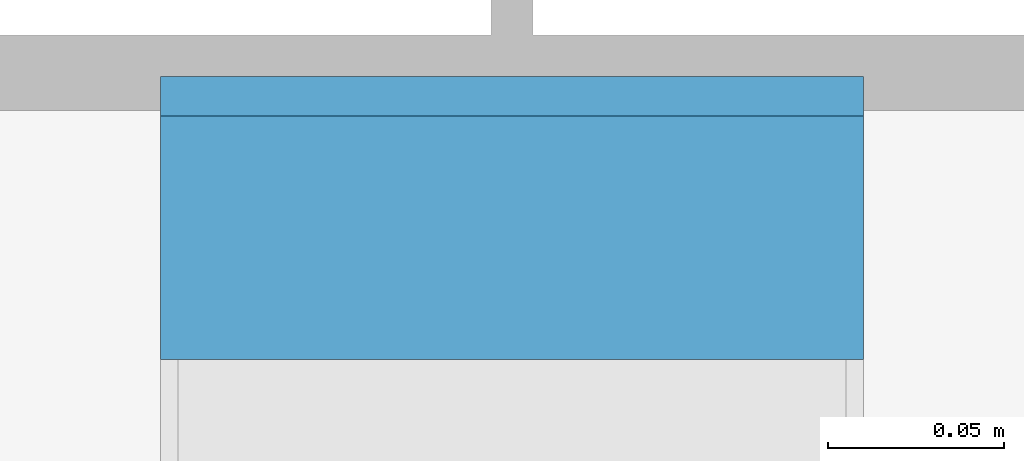
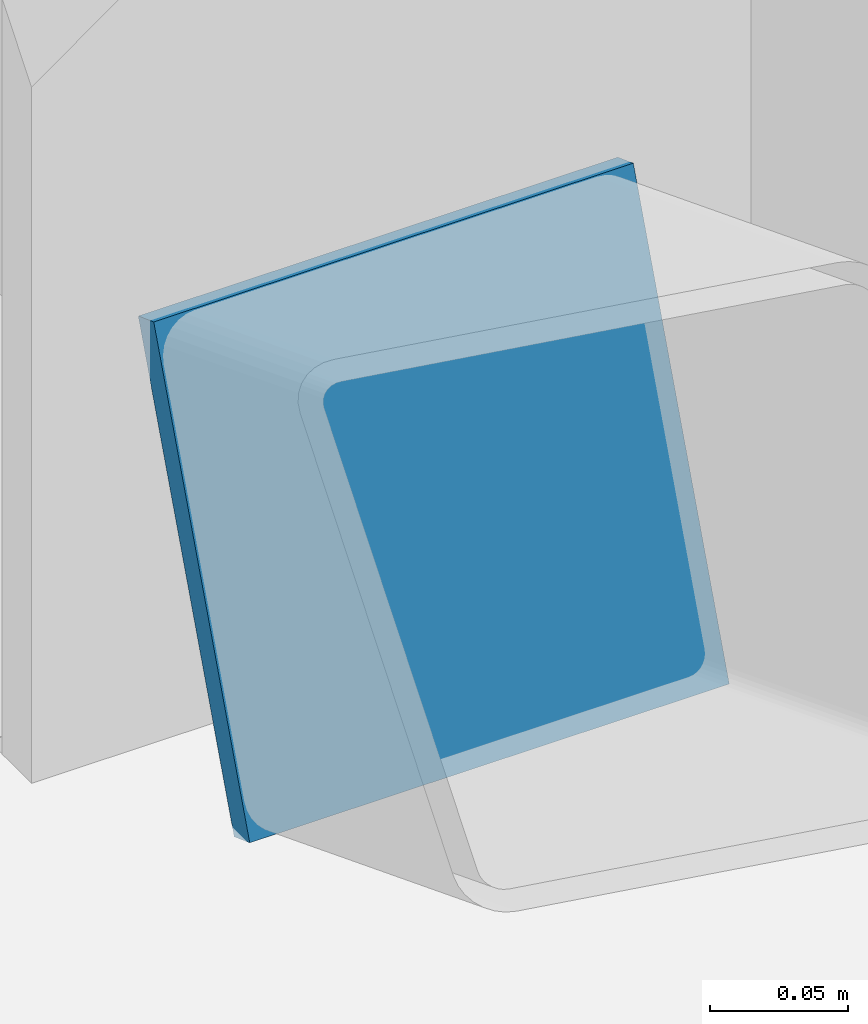
# One storey, part 314 of 321: 1 discrete accessory.
"""IFC4 building model written with IfcOpenShell, lengths in metres."""

from ifc_helpers import new_model, si_unit, direction, frame, origin, origin_2d, place, context, subcontext, project, spatial, rectangle, extrude, material, material_profile, profile_set, type_object, element, save


model = new_model("IFC4")

# Units and contexts
model_context = context("Model", 3, precision=1e-05, world=origin(), true_north=direction((0.0, 1.0)))
body_context = subcontext(model_context, "Body", "Model", "MODEL_VIEW")
ifc_project = project(units=[si_unit("LENGTHUNIT", "METRE"), si_unit("AREAUNIT", "SQUARE_METRE"), si_unit("VOLUMEUNIT", "CUBIC_METRE"), si_unit("PLANEANGLEUNIT", "RADIAN"), si_unit("MASSUNIT", "GRAM", prefix="KILO")], contexts=[model_context])

# Site, building, storey
site_placement = place(None, origin())
site = spatial("IfcSite", under=ifc_project, at=site_placement, CompositionType="ELEMENT")
building_placement = place(site_placement, origin())
building = spatial("IfcBuilding", under=site, at=building_placement, Name="Ravi Spectrum Wholesale Market", CompositionType="ELEMENT")
storey_placement = place(building_placement, frame((0.0, 0.0, 10.800048828125)))
storey = spatial("IfcBuildingStorey", under=building, at=storey_placement, Name="L02", CompositionType="ELEMENT", Elevation=10.800048828125)

# Discrete accessory
ifc_material = material(Name="Steel S355", Category="steel")
ifc_material_profile = material_profile(ifc_material, rectangle(XDim=0.199951171875, YDim=0.199951171875, at=origin_2d()))
ifc_profile_set = profile_set([ifc_material_profile], Name="Steel S355")
discrete_accessory_type = type_object("IfcDiscreteAccessoryType", Name="End plate SHS 200x200x8", PredefinedType="BRACKET", material=ifc_profile_set)
discrete_accessory_placement = place(storey_placement, frame((282.0, 53.793701171875, 0.093017578125), z_axis=(0.0, 0.937994498829, -0.346650140872), x_axis=(-1.0, 0.0, 0.0)))
element("IfcDiscreteAccessory", 1, at=discrete_accessory_placement, inside=storey, type_object=discrete_accessory_type, Name="End plate", PredefinedType="BRACKET", context=body_context, shape_type="SweptSolid", body=[
    extrude(rectangle(XDim=0.199951171875, YDim=0.199951171875, at=origin_2d()), origin(), (0.0, 0.0, 1.0), 0.011962890625),
])

save(model, "model.ifc")
